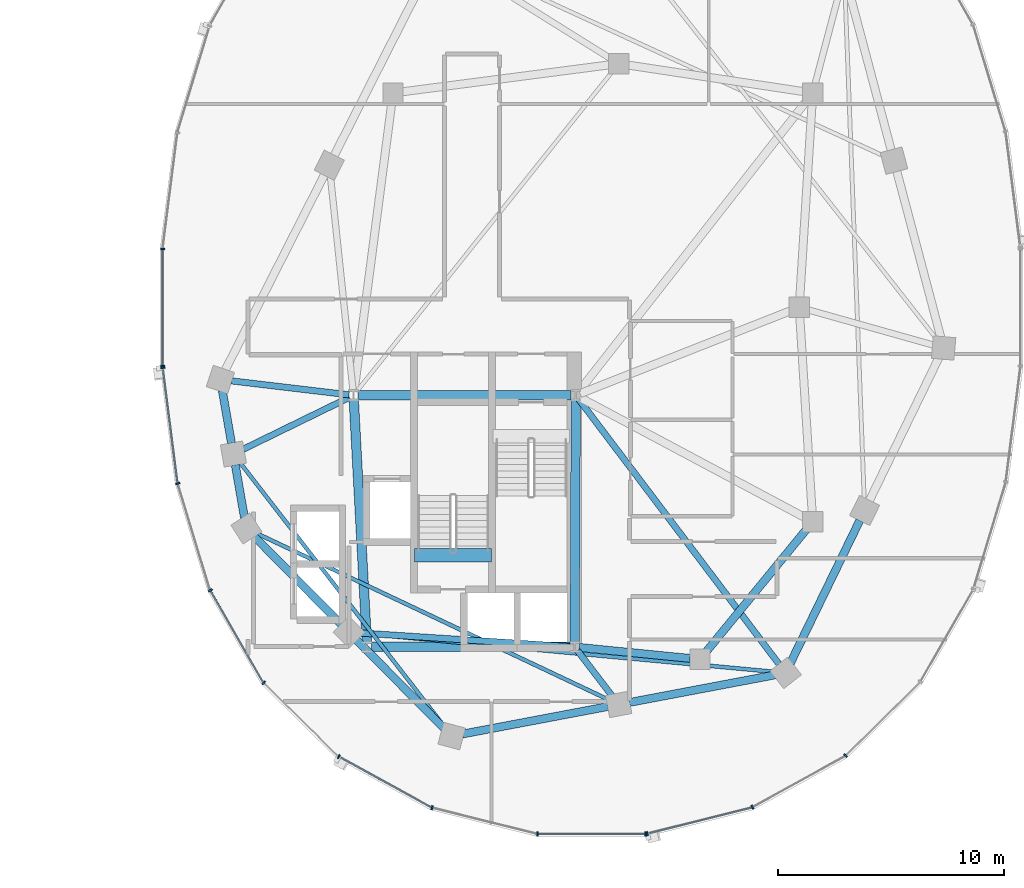
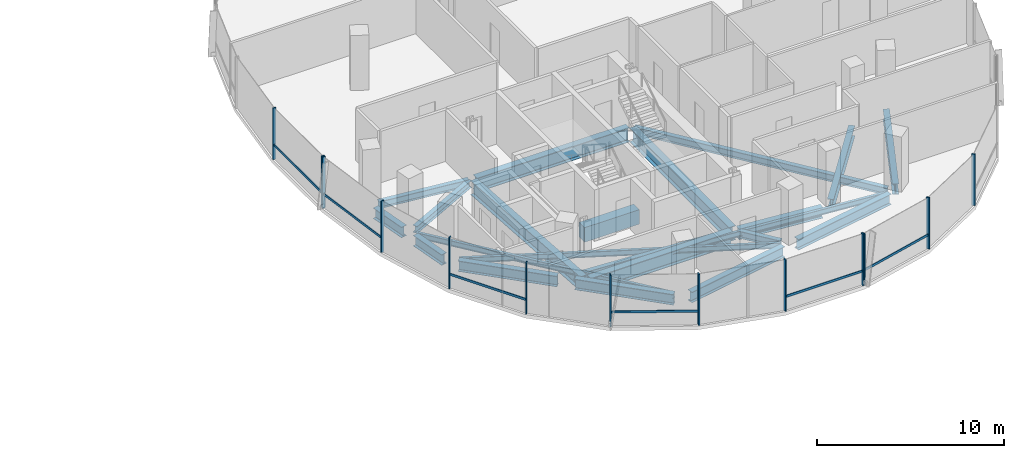
# One storey, part 6 of 22: 22 beams, 19 members, 3 elements without a shape of their own.
"""IFC4 building model written with IfcOpenShell, lengths in metres."""

from ifc_helpers import new_model, si_unit, direction, frame, origin, origin_2d, place, context, subcontext, project, spatial, rectangle, i_section, extrude, material, material_profile, profile_set, type_object, element, aggregate, save


model = new_model("IFC4")

# Units and contexts
model_context = context("Model", 3, precision=1e-05, world=origin(), true_north=direction((0.0, 1.0)))
body_context = subcontext(model_context, "Body", "Model", "MODEL_VIEW")
ifc_project = project(units=[si_unit("LENGTHUNIT", "METRE"), si_unit("AREAUNIT", "SQUARE_METRE"), si_unit("VOLUMEUNIT", "CUBIC_METRE"), si_unit("PLANEANGLEUNIT", "RADIAN"), si_unit("MASSUNIT", "GRAM", prefix="KILO"), si_unit("THERMODYNAMICTEMPERATUREUNIT", "KELVIN"), si_unit("POWERUNIT", "WATT")], contexts=[model_context])

# Site, building, storey
site_placement = place(None, origin())
site = spatial("IfcSite", under=ifc_project, at=site_placement, CompositionType="ELEMENT")
building_placement = place(site_placement, origin())
building = spatial("IfcBuilding", under=site, at=building_placement, Name="Cundina Bronze Exchange", CompositionType="ELEMENT")
storey_placement = place(building_placement, frame((0.0, 0.0, 151.199951171875)))
storey = spatial("IfcBuildingStorey", under=building, at=storey_placement, Name="L39", CompositionType="ELEMENT", Elevation=151.199951171875)

# Beams
ifc_material_1 = material(Name="Concrete C60/75", Category="concrete")
ifc_material_profile_1 = material_profile(ifc_material_1, rectangle(XDim=0.60009765625, YDim=0.949951171875, at=origin_2d()), Name="RC600X950", Category="concrete")
ifc_profile_set_1 = profile_set([ifc_material_profile_1], Name="Concrete C60/75")
beam_type_1 = type_object("IfcBeamType", Name="BM-COUP-RC950", PredefinedType="LINTEL", material=ifc_profile_set_1)
beam_1_placement = place(storey_placement, frame((24.159912109375, -10.97998046875, -0.474853515625), z_axis=(1.0, 0.0, 0.0), x_axis=(0.0, 1.0, 0.0)))
element("IfcBeam", 1, at=beam_1_placement, inside=storey, type_object=beam_type_1, Name="L39 Stair E2 Landing Header Beam", PredefinedType="LINTEL", context=body_context, shape_type="SweptSolid", body=[
    extrude(rectangle(XDim=0.60009765625, YDim=0.949951171875, at=origin_2d()), origin(), (0.0, 0.0, 1.0), 3.400146484375),
])
ifc_material_2 = material(Name="Steel ASTM A992 Grade 50", Category="steel")
ifc_material_profile_2 = material_profile(ifc_material_2, i_section(OverallWidth=0.280029296875, OverallDepth=0.462890625, WebThickness=0.0107421875, FlangeThickness=0.017333984375, FilletRadius=0.011962890625, at=origin_2d()), Name="W18X76", Category="steel")
ifc_profile_set_2 = profile_set([ifc_material_profile_2], Name="Steel ASTM A992 Grade 50")
beam_type_2 = type_object("IfcBeamType", Name="BM-FLR-W18A", PredefinedType="BEAM", material=ifc_profile_set_2)
beam_2_placement = place(storey_placement, frame((21.247314453125, -3.8759765625, -0.471435546875), z_axis=(-0.993036158382, 0.11780996624, 0.0), x_axis=(-0.11780996624, -0.993036158382, 0.0)))
element("IfcBeam", 2, at=beam_2_placement, inside=storey, type_object=beam_type_2, Name="L39 Leg E Chordal Floor Beam 00", PredefinedType="BEAM", context=body_context, shape_type="SweptSolid", body=[
    extrude(i_section(OverallWidth=0.280029296875, OverallDepth=0.462890625, WebThickness=0.0107421875, FlangeThickness=0.017333984375, FilletRadius=0.011962890625, at=origin_2d()), origin(), (0.0, 0.0, 1.0), 5.249267578125),
])
beam_3_placement = place(storey_placement, frame((21.2666015625, -3.989501953125, -0.471435546875), z_axis=(-0.898604300669, -0.438759969481, 0.0), x_axis=(0.438759969481, -0.898604300669, 0.0)))
element("IfcBeam", 3, at=beam_3_placement, inside=storey, type_object=beam_type_2, Name="L39 Leg E Chordal Floor Beam 01", PredefinedType="BEAM", context=body_context, shape_type="SweptSolid", body=[
    extrude(i_section(OverallWidth=0.280029296875, OverallDepth=0.462890625, WebThickness=0.0107421875, FlangeThickness=0.017333984375, FilletRadius=0.011962890625, at=origin_2d()), origin(), (0.0, 0.0, 1.0), 5.23388671875),
])
beam_4_placement = place(storey_placement, frame((31.04638671875, -15.036865234375, -0.471435546875), z_axis=(-0.99789334888, 0.064875760192, 0.0), x_axis=(-0.064875760192, -0.99789334888, 0.0)))
element("IfcBeam", 4, at=beam_4_placement, inside=storey, type_object=beam_type_2, Name="L39 Leg E Chordal Floor Beam 03", PredefinedType="BEAM", context=body_context, shape_type="SweptSolid", body=[
    extrude(i_section(OverallWidth=0.280029296875, OverallDepth=0.462890625, WebThickness=0.0107421875, FlangeThickness=0.017333984375, FilletRadius=0.011962890625, at=origin_2d()), origin(), (0.0, 0.0, 1.0), 9.328857421875),
])
beam_5_placement = place(storey_placement, frame((31.373779296875, -15.2119140625, -0.471435546875), z_axis=(0.607450107571, -0.794357832977, 0.0), x_axis=(0.794357832977, 0.607450107571, 0.0)))
element("IfcBeam", 5, at=beam_5_placement, inside=storey, type_object=beam_type_2, Name="L39 Leg E Chordal Floor Beam 05", PredefinedType="BEAM", context=body_context, shape_type="SweptSolid", body=[
    extrude(i_section(OverallWidth=0.280029296875, OverallDepth=0.462890625, WebThickness=0.0107421875, FlangeThickness=0.017333984375, FilletRadius=0.011962890625, at=origin_2d()), origin(), (0.0, 0.0, 1.0), 2.518310546875),
])
beam_6_placement = place(storey_placement, frame((31.423095703125, -4.062744140625, -0.471435546875), z_axis=(0.603103901721, -0.797662637792, 0.0), x_axis=(0.797662637792, 0.603103901721, 0.0)))
element("IfcBeam", 6, at=beam_6_placement, inside=storey, type_object=beam_type_2, Name="L39 Leg E Chordal Floor Beam 06", PredefinedType="BEAM", context=body_context, shape_type="SweptSolid", body=[
    extrude(i_section(OverallWidth=0.280029296875, OverallDepth=0.462890625, WebThickness=0.0107421875, FlangeThickness=0.017333984375, FilletRadius=0.011962890625, at=origin_2d()), origin(), (0.0, 0.0, 1.0), 14.72802734375),
])
ifc_material_profile_3 = material_profile(ifc_material_2, i_section(OverallWidth=0.172119140625, OverallDepth=0.35791015625, WebThickness=0.0078125, FlangeThickness=0.01318359375, FilletRadius=0.010009765625, at=origin_2d()), Name="W14X38", Category="steel")
ifc_profile_set_3 = profile_set([ifc_material_profile_3], Name="Steel ASTM A992 Grade 50")
beam_type_3 = type_object("IfcBeamType", Name="BM-JST-W14", PredefinedType="JOIST", material=ifc_profile_set_3)
beam_7_placement = place(storey_placement, frame((16.423583984375, -6.885986328125, -0.4189453125), z_axis=(0.61208354334, -0.790793105668, 0.0), x_axis=(0.790793105668, 0.61208354334, 0.0)))
element("IfcBeam", 7, at=beam_7_placement, inside=storey, type_object=beam_type_3, Name="L39 Leg E Lobe Floor Joist 01-04", PredefinedType="JOIST", context=body_context, shape_type="SweptSolid", body=[
    extrude(i_section(OverallWidth=0.172119140625, OverallDepth=0.35791015625, WebThickness=0.0078125, FlangeThickness=0.01318359375, FilletRadius=0.010009765625, at=origin_2d()), origin(), (0.0, 0.0, 1.0), 14.830810546875),
])
beam_8_placement = place(storey_placement, frame((17.14111328125, -10.008544921875, -0.4189453125), z_axis=(0.904074252188, -0.427375416385, 0.0), x_axis=(0.427375416385, 0.904074252188, 0.0)))
element("IfcBeam", 8, at=beam_8_placement, inside=storey, type_object=beam_type_3, Name="L39 Leg E Lobe Floor Joist 02-05", PredefinedType="JOIST", context=body_context, shape_type="SweptSolid", body=[
    extrude(i_section(OverallWidth=0.172119140625, OverallDepth=0.35791015625, WebThickness=0.0078125, FlangeThickness=0.01318359375, FilletRadius=0.010009765625, at=origin_2d()), origin(), (0.0, 0.0, 1.0), 17.274658203125),
])
beam_9_placement = place(storey_placement, frame((21.73583984375, -14.4453125, -0.4189453125), z_axis=(0.995701840093, -0.092616659595, 0.0), x_axis=(0.092616659595, 0.995701840093, 0.0)))
element("IfcBeam", 9, at=beam_9_placement, inside=storey, type_object=beam_type_3, Name="L39 Leg E Lobe Floor Joist 03-06", PredefinedType="JOIST", context=body_context, shape_type="SweptSolid", body=[
    extrude(i_section(OverallWidth=0.172119140625, OverallDepth=0.35791015625, WebThickness=0.0078125, FlangeThickness=0.01318359375, FilletRadius=0.010009765625, at=origin_2d()), origin(), (0.0, 0.0, 1.0), 18.45751953125),
])
ifc_material_profile_4 = material_profile(ifc_material_2, i_section(OverallWidth=0.35498046875, OverallDepth=0.695068359375, WebThickness=0.015380859375, FlangeThickness=0.02490234375, FilletRadius=0.01806640625, at=origin_2d()), Name="W27X146", Category="steel")
ifc_profile_set_4 = profile_set([ifc_material_profile_4], Name="Steel ASTM A992 Grade 50")
beam_type_4 = type_object("IfcBeamType", Name="BM-RING-W27", PredefinedType="USERDEFINED", material=ifc_profile_set_4)
beam_10_placement = place(storey_placement, frame((31.452880859375, -15.070068359375, -0.58740234375), z_axis=(0.995123020608, -0.098641643622, 0.0), x_axis=(0.098641643622, 0.995123020608, 0.0)))
element("IfcBeam", 10, at=beam_10_placement, inside=storey, type_object=beam_type_4, Name="L39 E Inner Structural Ring Girder 01", ObjectType="GIRDER", PredefinedType="USERDEFINED", context=body_context, shape_type="SweptSolid", body=[
    extrude(i_section(OverallWidth=0.35498046875, OverallDepth=0.695068359375, WebThickness=0.015380859375, FlangeThickness=0.02490234375, FilletRadius=0.01806640625, at=origin_2d()), origin(), (0.0, 0.0, 1.0), 4.935302734375),
])
beam_11_placement = place(storey_placement, frame((37.07763671875, -15.26123046875, -0.58740234375), z_axis=(0.633912590175, 0.77340469873, 0.0), x_axis=(-0.77340469873, 0.633912590175, 0.0)))
element("IfcBeam", 11, at=beam_11_placement, inside=storey, type_object=beam_type_4, Name="L39 E Inner Structural Ring Girder 02", ObjectType="GIRDER", PredefinedType="USERDEFINED", context=body_context, shape_type="SweptSolid", body=[
    extrude(i_section(OverallWidth=0.35498046875, OverallDepth=0.695068359375, WebThickness=0.015380859375, FlangeThickness=0.02490234375, FilletRadius=0.01806640625, at=origin_2d()), origin(), (0.0, 0.0, 1.0), 7.01123046875),
])
for number, where, z_axis, x_axis, name in (
    (12, (15.6337890625, -3.680908203125, -0.58740234375), (0.171666718895, -0.985155083032, 0.0), (0.985155083032, 0.171666718895, 0.0), "L39 E Perimeter Ring Girder 00"),
    (13, (16.208740234375, -6.980712890625, -0.58740234375), (0.171666718895, -0.985155083032, 0.0), (0.985155083032, 0.171666718895, 0.0), "L39 E Perimeter Ring Girder 01"),
):
    element("IfcBeam", number, at=place(storey_placement, frame(where, z_axis=z_axis, x_axis=x_axis)), inside=storey, type_object=beam_type_4, Name=name, ObjectType="GIRDER", PredefinedType="USERDEFINED", context=body_context, shape_type="SweptSolid", body=[
        extrude(i_section(OverallWidth=0.35498046875, OverallDepth=0.695068359375, WebThickness=0.015380859375, FlangeThickness=0.02490234375, FilletRadius=0.01806640625, at=origin_2d()), origin(), (0.0, 0.0, 1.0), 2.37353515625),
    ])
beam_12_placement = place(storey_placement, frame((17.043212890625, -10.14697265625, -0.58740234375), z_axis=(0.703230112979, -0.710962311378, 0.0), x_axis=(0.710962311378, 0.703230112979, 0.0)))
element("IfcBeam", 14, at=beam_12_placement, inside=storey, type_object=beam_type_4, Name="L39 E Perimeter Ring Girder 02", ObjectType="GIRDER", PredefinedType="USERDEFINED", context=body_context, shape_type="SweptSolid", body=[
    extrude(i_section(OverallWidth=0.35498046875, OverallDepth=0.695068359375, WebThickness=0.015380859375, FlangeThickness=0.02490234375, FilletRadius=0.01806640625, at=origin_2d()), origin(), (0.0, 0.0, 1.0), 5.493896484375),
])
beam_13_placement = place(storey_placement, frame((21.59326171875, -14.746826171875, -0.58740234375), z_axis=(0.703207895705, -0.710984286337, 0.0), x_axis=(0.710984286337, 0.703207895705, 0.0)))
element("IfcBeam", 15, at=beam_13_placement, inside=storey, type_object=beam_type_4, Name="L39 E Perimeter Ring Girder 03", ObjectType="GIRDER", PredefinedType="USERDEFINED", context=body_context, shape_type="SweptSolid", body=[
    extrude(i_section(OverallWidth=0.35498046875, OverallDepth=0.695068359375, WebThickness=0.015380859375, FlangeThickness=0.02490234375, FilletRadius=0.01806640625, at=origin_2d()), origin(), (0.0, 0.0, 1.0), 5.494140625),
])
beam_14_placement = place(storey_placement, frame((26.279541015625, -18.9091796875, -0.58740234375), z_axis=(0.982571532667, 0.185884865421, 0.0), x_axis=(-0.185884865421, 0.982571532667, 0.0)))
element("IfcBeam", 16, at=beam_14_placement, inside=storey, type_object=beam_type_4, Name="L39 E Perimeter Ring Girder 04", ObjectType="GIRDER", PredefinedType="USERDEFINED", context=body_context, shape_type="SweptSolid", body=[
    extrude(i_section(OverallWidth=0.35498046875, OverallDepth=0.695068359375, WebThickness=0.015380859375, FlangeThickness=0.02490234375, FilletRadius=0.01806640625, at=origin_2d()), origin(), (0.0, 0.0, 1.0), 6.55517578125),
])
beam_15_placement = place(storey_placement, frame((33.679443359375, -17.50927734375, -0.58740234375), z_axis=(0.982572819495, 0.185878063226, 0.0), x_axis=(-0.185878063226, 0.982572819495, 0.0)))
element("IfcBeam", 17, at=beam_15_placement, inside=storey, type_object=beam_type_4, Name="L39 E Perimeter Ring Girder 05", ObjectType="GIRDER", PredefinedType="USERDEFINED", context=body_context, shape_type="SweptSolid", body=[
    extrude(i_section(OverallWidth=0.35498046875, OverallDepth=0.695068359375, WebThickness=0.015380859375, FlangeThickness=0.02490234375, FilletRadius=0.01806640625, at=origin_2d()), origin(), (0.0, 0.0, 1.0), 6.555419921875),
])
beam_16_placement = place(storey_placement, frame((40.8134765625, -15.760986328125, -0.58740234375), z_axis=(0.437196998825, 0.89936576776, 0.0), x_axis=(-0.89936576776, 0.437196998825, 0.0)))
element("IfcBeam", 18, at=beam_16_placement, inside=storey, type_object=beam_type_4, Name="L39 E Perimeter Ring Girder 06", ObjectType="GIRDER", PredefinedType="USERDEFINED", context=body_context, shape_type="SweptSolid", body=[
    extrude(i_section(OverallWidth=0.35498046875, OverallDepth=0.695068359375, WebThickness=0.015380859375, FlangeThickness=0.02490234375, FilletRadius=0.01806640625, at=origin_2d()), origin(), (0.0, 0.0, 1.0), 7.029541015625),
])
ifc_material_profile_5 = material_profile(ifc_material_2, i_section(OverallWidth=0.41796875, OverallDepth=0.927001953125, WebThickness=0.019287109375, FlangeThickness=0.031982421875, FilletRadius=0.02392578125, at=origin_2d()), Name="W36X231", Category="steel")
ifc_profile_set_5 = profile_set([ifc_material_profile_5], Name="Steel ASTM A992 Grade 50")
beam_type_5 = type_object("IfcBeamType", Name="BM-WRN-W36B", PredefinedType="USERDEFINED", material=ifc_profile_set_5)
beam_17_placement = place(storey_placement, frame((31.095947265625, -3.89990234375, -0.703369140625), z_axis=(-1.0, 0.0, 0.0), x_axis=(0.0, -1.0, 0.0)))
element("IfcBeam", 19, at=beam_17_placement, inside=storey, type_object=beam_type_5, Name="L39 E Core Perimeter Tie Girder 1", ObjectType="GIRDER", PredefinedType="USERDEFINED", context=body_context, shape_type="SweptSolid", body=[
    extrude(i_section(OverallWidth=0.41796875, OverallDepth=0.927001953125, WebThickness=0.019287109375, FlangeThickness=0.031982421875, FilletRadius=0.02392578125, at=origin_2d()), origin(), (0.0, 0.0, 1.0), 9.44189453125),
])
beam_18_placement = place(storey_placement, frame((21.4609375, -4.103759765625, -0.703369140625), z_axis=(0.053739193498, -0.998555005537, 0.0), x_axis=(0.998555005537, 0.053739193498, 0.0)))
element("IfcBeam", 20, at=beam_18_placement, inside=storey, type_object=beam_type_5, Name="L39 E Core Perimeter Tie Girder 2", ObjectType="GIRDER", PredefinedType="USERDEFINED", context=body_context, shape_type="SweptSolid", body=[
    extrude(i_section(OverallWidth=0.41796875, OverallDepth=0.927001953125, WebThickness=0.019287109375, FlangeThickness=0.031982421875, FilletRadius=0.02392578125, at=origin_2d()), origin(), (0.0, 0.0, 1.0), 10.758056640625),
])
beam_19_placement = place(storey_placement, frame((22.25390625, -15.050048828125, -0.703369140625), z_axis=(1.0, 0.0, 0.0), x_axis=(0.0, 1.0, 0.0)))
element("IfcBeam", 21, at=beam_19_placement, inside=storey, type_object=beam_type_5, Name="L39 E Core Perimeter Tie Girder 3", ObjectType="GIRDER", PredefinedType="USERDEFINED", context=body_context, shape_type="SweptSolid", body=[
    extrude(i_section(OverallWidth=0.41796875, OverallDepth=0.927001953125, WebThickness=0.019287109375, FlangeThickness=0.031982421875, FilletRadius=0.02392578125, at=origin_2d()), origin(), (0.0, 0.0, 1.0), 8.7919921875),
])
beam_20_placement = place(storey_placement, frame((31.2509765625, -14.845947265625, -0.703369140625), z_axis=(0.004477329608, 0.99998997671, 0.0), x_axis=(-0.99998997671, 0.004477329608, 0.0)))
element("IfcBeam", 22, at=beam_20_placement, inside=storey, type_object=beam_type_5, Name="L39 E Core Perimeter Tie Girder 4", ObjectType="GIRDER", PredefinedType="USERDEFINED", context=body_context, shape_type="SweptSolid", body=[
    extrude(i_section(OverallWidth=0.41796875, OverallDepth=0.927001953125, WebThickness=0.019287109375, FlangeThickness=0.031982421875, FilletRadius=0.02392578125, at=origin_2d()), origin(), (0.0, 0.0, 1.0), 10.741943359375),
])

# Curtain wall, members
ifc_material_3 = material(Name="Anodised Bronze Aluminium 6063-T6", Category="aluminium")
curtain_wall_type = type_object("IfcCurtainWallType", Name="CWS-WST-PIN", PredefinedType="NOTDEFINED", material=ifc_material_3)
curtain_wall_1_placement = place(storey_placement, origin())
curtain_wall_1 = element("IfcCurtainWall", 23, at=curtain_wall_1_placement, inside=storey, type_object=curtain_wall_type, Name="L39 CW-04 Curtain Wall Run CWR-L39-E2", PredefinedType="NOTDEFINED")
ifc_material_profile_6 = material_profile(ifc_material_3, rectangle(XDim=0.070068359375, YDim=0.18994140625, at=origin_2d()), Name="AL70X190", Category="aluminium")
ifc_profile_set_6 = profile_set([ifc_material_profile_6], Name="Anodised Bronze Aluminium 6063-T6")
member_type_1 = type_object("IfcMemberType", Name="CWM-MUL-190", PredefinedType="MULLION", material=ifc_profile_set_6)
member_1_placement = place(storey_placement, frame((12.992919921875, 2.593017578125, 0.0), z_axis=(0.0, 0.0, 1.0), x_axis=(0.0, -1.0, 0.0)))
member_1 = element("IfcMember", 24, at=member_1_placement, type_object=member_type_1, Name="CW-04 Mullion 7", PredefinedType="MULLION", context=body_context, shape_type="SweptSolid", body=[
    extrude(rectangle(XDim=0.070068359375, YDim=0.18994140625, at=origin_2d()), origin(), (0.0, 0.0, 1.0), 3.360107421875),
])
member_2_placement = place(storey_placement, frame((12.992919921875, -2.593017578125, 0.0), z_axis=(0.0, 0.0, 1.0), x_axis=(0.0, -1.0, 0.0)))
member_2 = element("IfcMember", 25, at=member_2_placement, type_object=member_type_1, Name="CW-04 End Mullion", PredefinedType="MULLION", context=body_context, shape_type="SweptSolid", body=[
    extrude(rectangle(XDim=0.070068359375, YDim=0.18994140625, at=origin_2d()), origin(), (0.0, 0.0, 1.0), 3.360107421875),
])

curtain_wall_2_placement = place(storey_placement, origin())
curtain_wall_2 = element("IfcCurtainWall", 26, at=curtain_wall_2_placement, inside=storey, type_object=curtain_wall_type, Name="L39 CW-04 Curtain Wall Run CWR-L39-E3", PredefinedType="NOTDEFINED")
member_3_placement = place(storey_placement, frame((12.998291015625, -2.676025390625, 0.0), z_axis=(0.0, 0.0, 1.0), x_axis=(0.126545236492, -0.991960837494, 0.0)))
member_3 = element("IfcMember", 27, at=member_3_placement, type_object=member_type_1, Name="CW-04 Mullion 1", PredefinedType="MULLION", context=body_context, shape_type="SweptSolid", body=[
    extrude(rectangle(XDim=0.070068359375, YDim=0.18994140625, at=origin_2d()), origin(), (0.0, 0.0, 1.0), 3.360107421875),
])
member_4_placement = place(storey_placement, frame((13.6591796875, -7.80859375, 0.0), z_axis=(0.0, 0.0, 1.0), x_axis=(0.290034140915, -0.957016299288, 0.0)))
member_4 = element("IfcMember", 28, at=member_4_placement, type_object=member_type_1, Name="CW-04 Mullion 2", PredefinedType="MULLION", context=body_context, shape_type="SweptSolid", body=[
    extrude(rectangle(XDim=0.070068359375, YDim=0.18994140625, at=origin_2d()), origin(), (0.0, 0.0, 1.0), 3.360107421875),
])
member_5_placement = place(storey_placement, frame((15.10205078125, -12.541259765625, 0.0), z_axis=(0.0, 0.0, 1.0), x_axis=(0.498487739754, -0.866896748936, 0.0)))
member_5 = element("IfcMember", 29, at=member_5_placement, type_object=member_type_1, Name="CW-04 Mullion 3", PredefinedType="MULLION", context=body_context, shape_type="SweptSolid", body=[
    extrude(rectangle(XDim=0.070068359375, YDim=0.18994140625, at=origin_2d()), origin(), (0.0, 0.0, 1.0), 3.360107421875),
])
member_6_placement = place(storey_placement, frame((17.469482421875, -16.640380859375, 0.0), z_axis=(0.0, 0.0, 1.0), x_axis=(0.712026045991, -0.702153052995, 0.0)))
member_6 = element("IfcMember", 30, at=member_6_placement, type_object=member_type_1, Name="CW-04 Mullion 4", PredefinedType="MULLION", context=body_context, shape_type="SweptSolid", body=[
    extrude(rectangle(XDim=0.070068359375, YDim=0.18994140625, at=origin_2d()), origin(), (0.0, 0.0, 1.0), 3.360107421875),
])
member_7_placement = place(storey_placement, frame((20.79345703125, -19.906005859375, 0.0), z_axis=(0.0, 0.0, 1.0), x_axis=(0.875885937035, -0.482518212408, 0.0)))
member_7 = element("IfcMember", 31, at=member_7_placement, type_object=member_type_1, Name="CW-04 Mullion 5", PredefinedType="MULLION", context=body_context, shape_type="SweptSolid", body=[
    extrude(rectangle(XDim=0.070068359375, YDim=0.18994140625, at=origin_2d()), origin(), (0.0, 0.0, 1.0), 3.360107421875),
])
member_8_placement = place(storey_placement, frame((24.932373046875, -22.17626953125, 0.0), z_axis=(0.0, 0.0, 1.0), x_axis=(0.970084240161, -0.242768546132, 0.0)))
member_8 = element("IfcMember", 32, at=member_8_placement, type_object=member_type_1, Name="CW-04 Mullion 6", PredefinedType="MULLION", context=body_context, shape_type="SweptSolid", body=[
    extrude(rectangle(XDim=0.070068359375, YDim=0.18994140625, at=origin_2d()), origin(), (0.0, 0.0, 1.0), 3.360107421875),
])
member_9_placement = place(storey_placement, frame((29.60595703125, -23.3369140625, 0.0), z_axis=(0.0, 0.0, 1.0), x_axis=(1.0, 0.0, 0.0)))
member_9 = element("IfcMember", 33, at=member_9_placement, type_object=member_type_1, Name="CW-04 Mullion 7", PredefinedType="MULLION", context=body_context, shape_type="SweptSolid", body=[
    extrude(rectangle(XDim=0.070068359375, YDim=0.18994140625, at=origin_2d()), origin(), (0.0, 0.0, 1.0), 3.360107421875),
])
member_10_placement = place(storey_placement, frame((34.39404296875, -23.3369140625, 0.0), z_axis=(0.0, 0.0, 1.0), x_axis=(1.0, 0.0, 0.0)))
member_10 = element("IfcMember", 34, at=member_10_placement, type_object=member_type_1, Name="CW-04 End Mullion", PredefinedType="MULLION", context=body_context, shape_type="SweptSolid", body=[
    extrude(rectangle(XDim=0.070068359375, YDim=0.18994140625, at=origin_2d()), origin(), (0.0, 0.0, 1.0), 3.360107421875),
])

curtain_wall_3_placement = place(storey_placement, origin())
curtain_wall_3 = element("IfcCurtainWall", 35, at=curtain_wall_3_placement, inside=storey, type_object=curtain_wall_type, Name="L39 CW-04 Curtain Wall Run CWR-L39-E4", PredefinedType="NOTDEFINED")
member_11_placement = place(storey_placement, frame((34.462646484375, -23.32861328125, 0.0), z_axis=(0.0, 0.0, 1.0), x_axis=(0.970084240161, 0.242768546132, 0.0)))
member_11 = element("IfcMember", 36, at=member_11_placement, type_object=member_type_1, Name="CW-04 Mullion 1", PredefinedType="MULLION", context=body_context, shape_type="SweptSolid", body=[
    extrude(rectangle(XDim=0.070068359375, YDim=0.18994140625, at=origin_2d()), origin(), (0.0, 0.0, 1.0), 3.360107421875),
])
member_12_placement = place(storey_placement, frame((39.13037109375, -22.151611328125, 0.0), z_axis=(0.0, 0.0, 1.0), x_axis=(0.875885937035, 0.482518212408, 0.0)))
member_12 = element("IfcMember", 37, at=member_12_placement, type_object=member_type_1, Name="CW-04 Mullion 2", PredefinedType="MULLION", context=body_context, shape_type="SweptSolid", body=[
    extrude(rectangle(XDim=0.070068359375, YDim=0.18994140625, at=origin_2d()), origin(), (0.0, 0.0, 1.0), 3.360107421875),
])
member_13_placement = place(storey_placement, frame((43.259033203125, -19.86669921875, 0.0), z_axis=(0.0, 0.0, 1.0), x_axis=(0.712026045991, 0.702153052995, 0.0)))
member_13 = element("IfcMember", 38, at=member_13_placement, type_object=member_type_1, Name="CW-04 Mullion 3", PredefinedType="MULLION", context=body_context, shape_type="SweptSolid", body=[
    extrude(rectangle(XDim=0.070068359375, YDim=0.18994140625, at=origin_2d()), origin(), (0.0, 0.0, 1.0), 3.360107421875),
])

# Member
ifc_material_profile_7 = material_profile(ifc_material_3, rectangle(XDim=0.06494140625, YDim=0.14990234375, at=origin_2d()), Name="AL65X150", Category="aluminium")
ifc_profile_set_7 = profile_set([ifc_material_profile_7], Name="Anodised Bronze Aluminium 6063-T6")
member_type_2 = type_object("IfcMemberType", Name="CWM-TRN-150", PredefinedType="USERDEFINED", material=ifc_profile_set_7)
member_14_placement = place(storey_placement, frame((12.992919921875, 2.554443359375, 0.920166015625), z_axis=(0.0, -1.0, 0.0), x_axis=(1.0, 0.0, 0.0)))
member_14 = element("IfcMember", 39, at=member_14_placement, type_object=member_type_2, Name="CW-04 Spandrel Transom 7", ObjectType="TRANSOM", PredefinedType="USERDEFINED", context=body_context, shape_type="SweptSolid", body=[
    extrude(rectangle(XDim=0.06494140625, YDim=0.14990234375, at=origin_2d()), origin(), (0.0, 0.0, 1.0), 5.10888671875),
])

aggregate(curtain_wall_1, [member_1, member_2, member_14])

member_15_placement = place(storey_placement, frame((13.003173828125, -2.71435546875, 0.920166015625), z_axis=(0.12646340362, -0.991971273548, 0.0), x_axis=(0.991971273548, 0.12646340362, 0.0)))
member_15 = element("IfcMember", 40, at=member_15_placement, type_object=member_type_2, Name="CW-04 Spandrel Transom 1", ObjectType="TRANSOM", PredefinedType="USERDEFINED", context=body_context, shape_type="SweptSolid", body=[
    extrude(rectangle(XDim=0.06494140625, YDim=0.14990234375, at=origin_2d()), origin(), (0.0, 0.0, 1.0), 5.0966796875),
])

member_16_placement = place(storey_placement, frame((15.121337890625, -12.574462890625, 0.920166015625), z_axis=(0.498479967047, -0.866901218394, 0.0), x_axis=(0.866901218394, 0.498479967047, 0.0)))
member_16 = element("IfcMember", 41, at=member_16_placement, type_object=member_type_2, Name="CW-04 Spandrel Transom 3", ObjectType="TRANSOM", PredefinedType="USERDEFINED", context=body_context, shape_type="SweptSolid", body=[
    extrude(rectangle(XDim=0.06494140625, YDim=0.14990234375, at=origin_2d()), origin(), (0.0, 0.0, 1.0), 4.66845703125),
])

member_17_placement = place(storey_placement, frame((20.8271484375, -19.924560546875, 0.920166015625), z_axis=(0.875878981549, -0.482530838062, 0.0), x_axis=(0.482530838062, 0.875878981549, 0.0)))
member_17 = element("IfcMember", 42, at=member_17_placement, type_object=member_type_2, Name="CW-04 Spandrel Transom 5", ObjectType="TRANSOM", PredefinedType="USERDEFINED", context=body_context, shape_type="SweptSolid", body=[
    extrude(rectangle(XDim=0.06494140625, YDim=0.14990234375, at=origin_2d()), origin(), (0.0, 0.0, 1.0), 4.65380859375),
])

member_18_placement = place(storey_placement, frame((29.64453125, -23.3369140625, 0.920166015625), z_axis=(1.0, 0.0, 0.0), x_axis=(0.0, 1.0, 0.0)))
member_18 = element("IfcMember", 43, at=member_18_placement, type_object=member_type_2, Name="CW-04 Spandrel Transom 7", ObjectType="TRANSOM", PredefinedType="USERDEFINED", context=body_context, shape_type="SweptSolid", body=[
    extrude(rectangle(XDim=0.06494140625, YDim=0.14990234375, at=origin_2d()), origin(), (0.0, 0.0, 1.0), 4.7109375),
])

aggregate(curtain_wall_2, [member_3, member_15, member_4, member_5, member_16, member_6, member_7, member_17, member_8, member_9, member_10, member_18])

member_19_placement = place(storey_placement, frame((34.5, -23.319091796875, 0.920166015625), z_axis=(0.970100130035, 0.242705042606, 0.0), x_axis=(-0.242705042606, 0.970100130035, 0.0)))
member_19 = element("IfcMember", 44, at=member_19_placement, type_object=member_type_2, Name="CW-04 Spandrel Transom 1", ObjectType="TRANSOM", PredefinedType="USERDEFINED", context=body_context, shape_type="SweptSolid", body=[
    extrude(rectangle(XDim=0.06494140625, YDim=0.14990234375, at=origin_2d()), origin(), (0.0, 0.0, 1.0), 4.746826171875),
])

aggregate(curtain_wall_3, [member_11, member_19, member_12, member_13])

save(model, "model.ifc")
